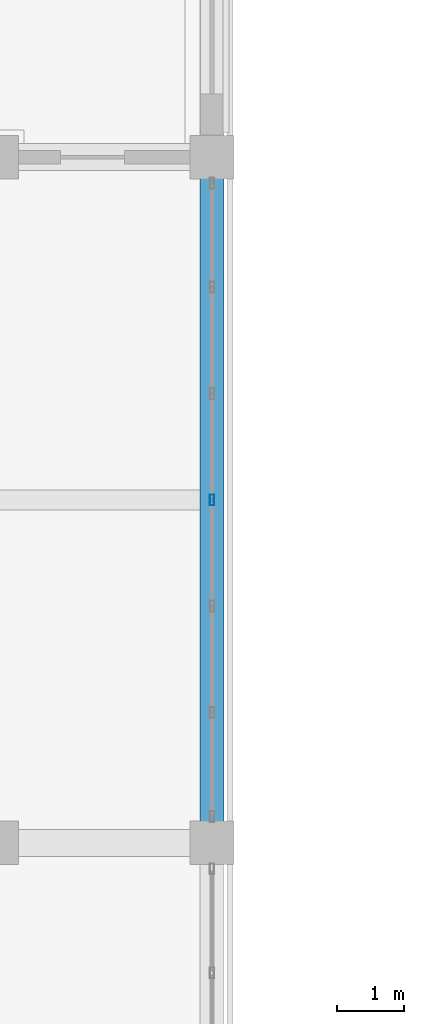
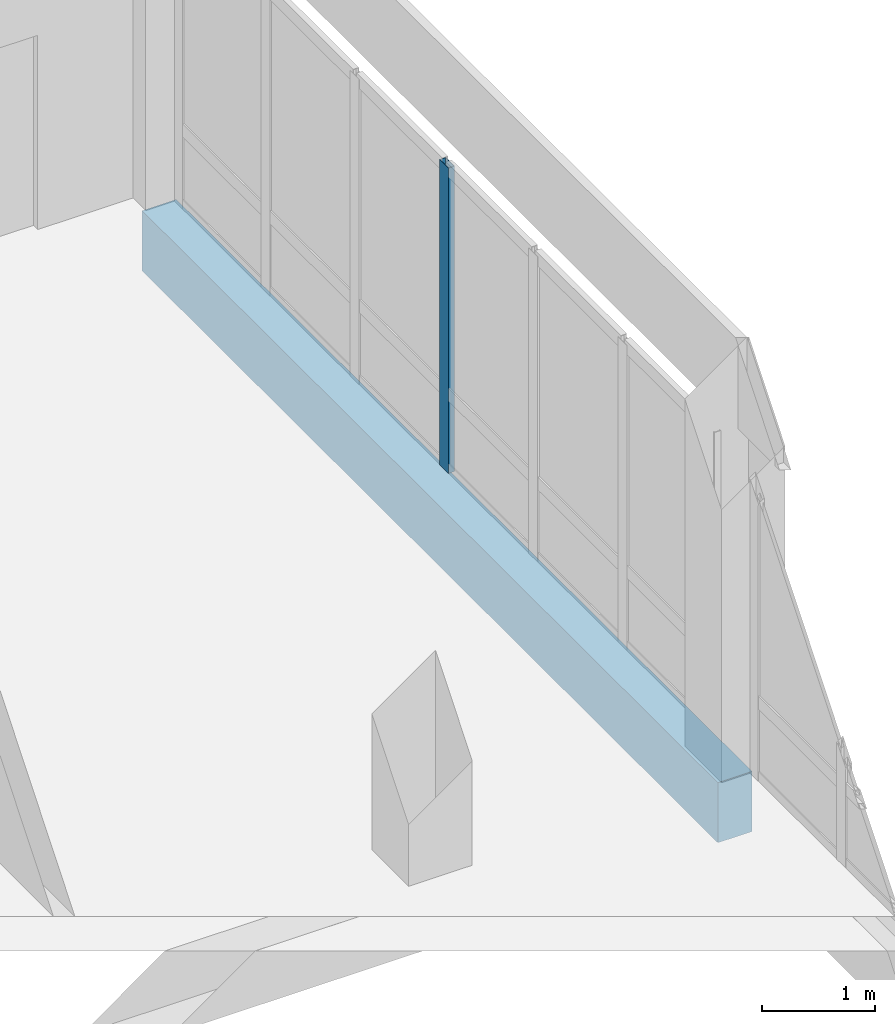
# One storey, part 16 of 200: 1 beam, 1 member, 1 element without a shape of its own.
"""IFC4 building model written with IfcOpenShell, lengths in metres."""

import ifcopenshell
import ifcopenshell.guid

model = None  # the IFC model being written
_history = None  # IfcOwnerHistory: only IFC2X3 demands one
_inside = {}  # id of a spatial element -> (the spatial element, [elements in it])
_under = {}  # id of a project, library or spatial element -> (it, [spatial elements below it])
_declared = {}  # id of a project -> (the project, [libraries it declares])
_typed = {}  # id of a type object -> (the type object, [elements of that type])
_made_of = {}  # id of a material, layer set ... -> (it, [elements and type objects made of it])


def new_model(schema):
    """Start an empty IFC model of exactly this schema.

    Asked for "IFC4X3", IfcOpenShell would pick the latest addendum, in which some entities
    have other attributes; the version numbers below select the first issue.
    IFC2X3 requires an IfcOwnerHistory on every rooted entity: one is made here for all.
    """
    global model, _history
    if schema == "IFC4X3":
        model = ifcopenshell.file(schema_version=(4, 3, 0, 0))
    else:
        model = ifcopenshell.file(schema=schema)
    _inside.clear()
    _under.clear()
    _declared.clear()
    _typed.clear()
    _made_of.clear()
    _history = None
    if model.schema == "IFC2X3":
        org = make("IfcOrganization", Name="unknown")
        user = make(
            "IfcPersonAndOrganization",
            ThePerson=make("IfcPerson", FamilyName="unknown"),
            TheOrganization=org,
        )
        app = make(
            "IfcApplication",
            ApplicationDeveloper=org,
            Version="unknown",
            ApplicationFullName="unknown",
            ApplicationIdentifier="unknown",
        )
        _history = make(
            "IfcOwnerHistory",
            OwningUser=user,
            OwningApplication=app,
            ChangeAction="ADDED",
            CreationDate=0,
        )
    return model


def make(cls, **values):
    """One entity of the class cls with the attributes given. An attribute that is None is left unset."""
    return model.create_entity(
        cls, **{name: value for name, value in values.items() if value is not None}
    )


def rooted(cls, **values):
    """An entity with a GlobalId (a new one), such as an element, a storey or a relation."""
    return make(cls, GlobalId=ifcopenshell.guid.new(), OwnerHistory=_history, **values)


def si_unit(unit_type, name, prefix=None):
    """IfcSIUnit, for example si_unit("LENGTHUNIT", "METRE", prefix="MILLI")."""
    return make("IfcSIUnit", UnitType=unit_type, Prefix=prefix, Name=name)


def assignment(units):
    """IfcUnitAssignment: the units of a project."""
    return None if units is None else make("IfcUnitAssignment", Units=units)


def point(xyz):
    """IfcCartesianPoint."""
    return None if xyz is None else make("IfcCartesianPoint", Coordinates=xyz)


def direction(xyz):
    """IfcDirection."""
    return None if xyz is None else make("IfcDirection", DirectionRatios=xyz)


def frame(location, z_axis=None, x_axis=None):
    """IfcAxis2Placement3D, a coordinate frame: its origin and axes. An axis left out is left unset."""
    return make(
        "IfcAxis2Placement3D",
        Location=point(location),
        Axis=direction(z_axis),
        RefDirection=direction(x_axis),
    )


def frame_2d(location, x_axis=None):
    """IfcAxis2Placement2D, a coordinate frame in the plane: its origin and x axis."""
    return make(
        "IfcAxis2Placement2D", Location=point(location), RefDirection=direction(x_axis)
    )


def origin():
    """The frame at (0, 0, 0) with its axes left unset."""
    return frame((0.0, 0.0, 0.0))


def origin_2d():
    """The frame at (0, 0) in the plane with its x axis left unset."""
    return frame_2d((0.0, 0.0))


def place(relative_to, where):
    """IfcLocalPlacement: puts the frame where relative to a parent placement (None: the world)."""
    return make(
        "IfcLocalPlacement", PlacementRelTo=relative_to, RelativePlacement=where
    )


def context(
    kind, dimensions, precision=None, world=None, true_north=None, identifier=None
):
    """IfcGeometricRepresentationContext, for example the 3D "Model" context."""
    return make(
        "IfcGeometricRepresentationContext",
        ContextIdentifier=identifier,
        ContextType=kind,
        CoordinateSpaceDimension=dimensions,
        Precision=precision,
        WorldCoordinateSystem=world,
        TrueNorth=true_north,
    )


def subcontext(parent, identifier, kind, view, scale=None):
    """IfcGeometricRepresentationSubContext, for example "Body" below "Model"."""
    return make(
        "IfcGeometricRepresentationSubContext",
        ContextIdentifier=identifier,
        ContextType=kind,
        ParentContext=parent,
        TargetScale=scale,
        TargetView=view,
    )


def project(units=None, contexts=None):
    """IfcProject with its units and contexts."""
    return rooted(
        "IfcProject",
        Name="project",
        RepresentationContexts=contexts,
        UnitsInContext=assignment(units),
    )


def spatial(cls, under=None, at=None, **own):
    """A site, building, storey or space (cls), placed at a placement, below another one or the project."""
    s = rooted(cls, ObjectPlacement=at, **own)
    if under is not None:
        _under.setdefault(under.id(), (under, []))[1].append(s)
    return s


def profile(cls, at=None, kind="AREA", **sizes):
    """A parametric profile (cls). Its sizes go by their IFC names, for example OverallWidth=200.0."""
    return make(cls, ProfileType=kind, Position=at, **sizes)


def rectangle(**sizes):
    """IfcRectangleProfileDef."""
    return profile("IfcRectangleProfileDef", **sizes)


def hollow_rectangle(**sizes):
    """IfcRectangleHollowProfileDef."""
    return profile("IfcRectangleHollowProfileDef", **sizes)


def extrude(swept, where, along, depth):
    """IfcExtrudedAreaSolid: the profile swept, set in the frame where, extruded along a direction by depth."""
    return make(
        "IfcExtrudedAreaSolid",
        SweptArea=swept,
        Position=where,
        ExtrudedDirection=direction(along),
        Depth=depth,
    )


def shape(context_of_items, identifier, shape_type, items):
    """IfcShapeRepresentation: the items that make up one representation, for example the "Body"."""
    return make(
        "IfcShapeRepresentation",
        ContextOfItems=context_of_items,
        RepresentationIdentifier=identifier,
        RepresentationType=shape_type,
        Items=items,
    )


def material(Name=None, Category=None):
    """IfcMaterial."""
    return make("IfcMaterial", Name=Name, Category=Category)


def material_profile(
    of_material, cross_section, Name=None, Category=None, Priority=None
):
    """IfcMaterialProfile: a cross section and its material."""
    return make(
        "IfcMaterialProfile",
        Name=Name,
        Material=of_material,
        Profile=cross_section,
        Priority=Priority,
        Category=Category,
    )


def profile_set(profiles, Name=None, composite=None):
    """IfcMaterialProfileSet."""
    return make(
        "IfcMaterialProfileSet",
        Name=Name,
        MaterialProfiles=profiles,
        CompositeProfile=composite,
    )


def made_of(thing, what):
    """Note that an element or type object is made of a material, layer set ...; save() writes the relation."""
    if what is not None:
        _made_of.setdefault(what.id(), (what, []))[1].append(thing)
    return thing


def type_object(cls, material=None, **own):
    """A type object (cls), such as IfcWallType, which elements share."""
    return made_of(rooted(cls, **own), material)


def element(
    cls,
    number,
    at=None,
    inside=None,
    cuts=None,
    type_object=None,
    material=None,
    context=None,
    identifier="Body",
    shape_type=None,
    held_by="IfcProductDefinitionShape",
    body=None,
    shapes=None,
    **own,
):
    """One element of the class cls, such as IfcWall. Its Tag is "e" and its number.

    at: its placement. inside: the storey or other place that contains it. cuts: it is an
    opening in that element (IfcRelVoidsElement). A single representation is given by context,
    identifier, shape_type and body (its items); several are given by shapes. held_by: the class
    of the entity that holds the representations. save() writes the other relations.
    """
    e = rooted(cls, Tag="e%d" % number, ObjectPlacement=at, **own)
    if body is not None:
        shapes = [shape(context, identifier, shape_type, body)]
    if shapes is not None:
        e.Representation = make(held_by, Representations=shapes)
    if inside is not None:
        _inside.setdefault(inside.id(), (inside, []))[1].append(e)
    if cuts is not None:
        rooted(
            "IfcRelVoidsElement", RelatingBuildingElement=cuts, RelatedOpeningElement=e
        )
    if type_object is not None:
        _typed.setdefault(type_object.id(), (type_object, []))[1].append(e)
    return made_of(e, material)


def aggregate(whole, parts):
    """IfcRelAggregates: a whole, such as a stair, and the parts it consists of."""
    return rooted("IfcRelAggregates", RelatingObject=whole, RelatedObjects=parts)


def save(model, path):
    """Write the relations noted so far, then the file.

    IfcRelAggregates (storeys below a building ...), IfcRelContainedInSpatialStructure (elements
    in a storey), IfcRelDefinesByType, IfcRelAssociatesMaterial and IfcRelDeclares: one each for
    every whole, place, type object, material and project.
    """
    for whole, parts in _under.values():
        aggregate(whole, parts)
    for where, things in _inside.values():
        rooted(
            "IfcRelContainedInSpatialStructure",
            RelatedElements=things,
            RelatingStructure=where,
        )
    for kind, things in _typed.values():
        rooted("IfcRelDefinesByType", RelatedObjects=things, RelatingType=kind)
    for what, things in _made_of.values():
        rooted("IfcRelAssociatesMaterial", RelatedObjects=things, RelatingMaterial=what)
    for by, libraries in _declared.values():
        rooted("IfcRelDeclares", RelatingContext=by, RelatedDefinitions=libraries)
    model.write(path)


model = new_model("IFC4")

# Units and contexts
model_context = context("Model", 3, precision=1e-05, world=origin(), true_north=direction((0.0, 1.0)))
body_context = subcontext(model_context, "Body", "Model", "MODEL_VIEW")
ifc_project = project(units=[si_unit("LENGTHUNIT", "METRE"), si_unit("AREAUNIT", "SQUARE_METRE"), si_unit("VOLUMEUNIT", "CUBIC_METRE"), si_unit("PLANEANGLEUNIT", "RADIAN"), si_unit("MASSUNIT", "GRAM", prefix="KILO")], contexts=[model_context])

# Site, building, storey
site_placement = place(None, origin())
site = spatial("IfcSite", under=ifc_project, at=site_placement, CompositionType="ELEMENT")
building_placement = place(site_placement, origin())
building = spatial("IfcBuilding", under=site, at=building_placement, Name="Vondelvale Polytechnic", CompositionType="ELEMENT")
storey_placement = place(building_placement, frame((0.0, 0.0, 13.800048828125)))
storey = spatial("IfcBuildingStorey", under=building, at=storey_placement, Name="L03", CompositionType="ELEMENT", Elevation=13.800048828125)

# Curtain wall, member
ifc_material_1 = material(Name="Anodised extruded aluminium 6063-T6", Category="aluminium")
curtain_wall_type = type_object("IfcCurtainWallType", Name="CW-STUDIO-NORTH", PredefinedType="NOTDEFINED", material=ifc_material_1)
curtain_wall_placement = place(storey_placement, origin())
curtain_wall = element("IfcCurtainWall", 1, at=curtain_wall_placement, inside=storey, type_object=curtain_wall_type, Name="L03 architectural curtain wall CW-01-026", PredefinedType="NOTDEFINED")
ifc_material_profile_1 = material_profile(ifc_material_1, hollow_rectangle(XDim=0.06494140625, YDim=0.159912109375, WallThickness=0.0048828125, at=origin_2d()), Name="CW-MUL-160x65")
ifc_profile_set_1 = profile_set([ifc_material_profile_1], Name="Anodised extruded aluminium 6063-T6")
member_type = type_object("IfcMemberType", Name="CW-MUL-65x160", PredefinedType="MULLION", material=ifc_profile_set_1)
member_placement = place(storey_placement, frame((48.0, 15.300048828125, 0.0), z_axis=(0.0, 0.0, 1.0), x_axis=(-1.0, 0.0, 0.0)))
member = element("IfcMember", 2, at=member_placement, type_object=member_type, Name="CW-01-026 mullion 4", PredefinedType="MULLION", context=body_context, shape_type="SweptSolid", body=[
    extrude(hollow_rectangle(XDim=0.06494140625, YDim=0.159912109375, WallThickness=0.0048828125, at=origin_2d()), origin(), (0.0, 0.0, 1.0), 3.300048828125),
])
aggregate(curtain_wall, [member])

# Beam
ifc_material_2 = material(Name="Precast concrete N40 (f'c = 40 MPa)", Category="concrete")
ifc_material_profile_2 = material_profile(ifc_material_2, rectangle(XDim=0.35009765625, YDim=0.64990234375, at=origin_2d()), Name="RC-SPN-350x650")
ifc_profile_set_2 = profile_set([ifc_material_profile_2], Name="Precast concrete N40 (f'c = 40 MPa)")
beam_type = type_object("IfcBeamType", Name="SPN-PRE350x650", PredefinedType="SPANDREL", material=ifc_profile_set_2)
beam_placement = place(storey_placement, frame((48.0, 10.199951171875, -0.574951171875), z_axis=(0.0, 1.0, 0.0), x_axis=(-1.0, 0.0, 0.0)))
element("IfcBeam", 3, at=beam_placement, inside=storey, type_object=beam_type, Name="L03 B SP-02", PredefinedType="SPANDREL", context=body_context, shape_type="SweptSolid", body=[
    extrude(rectangle(XDim=0.35009765625, YDim=0.64990234375, at=origin_2d()), origin(), (0.0, 0.0, 1.0), 10.199951171875),
])

save(model, "model.ifc")
